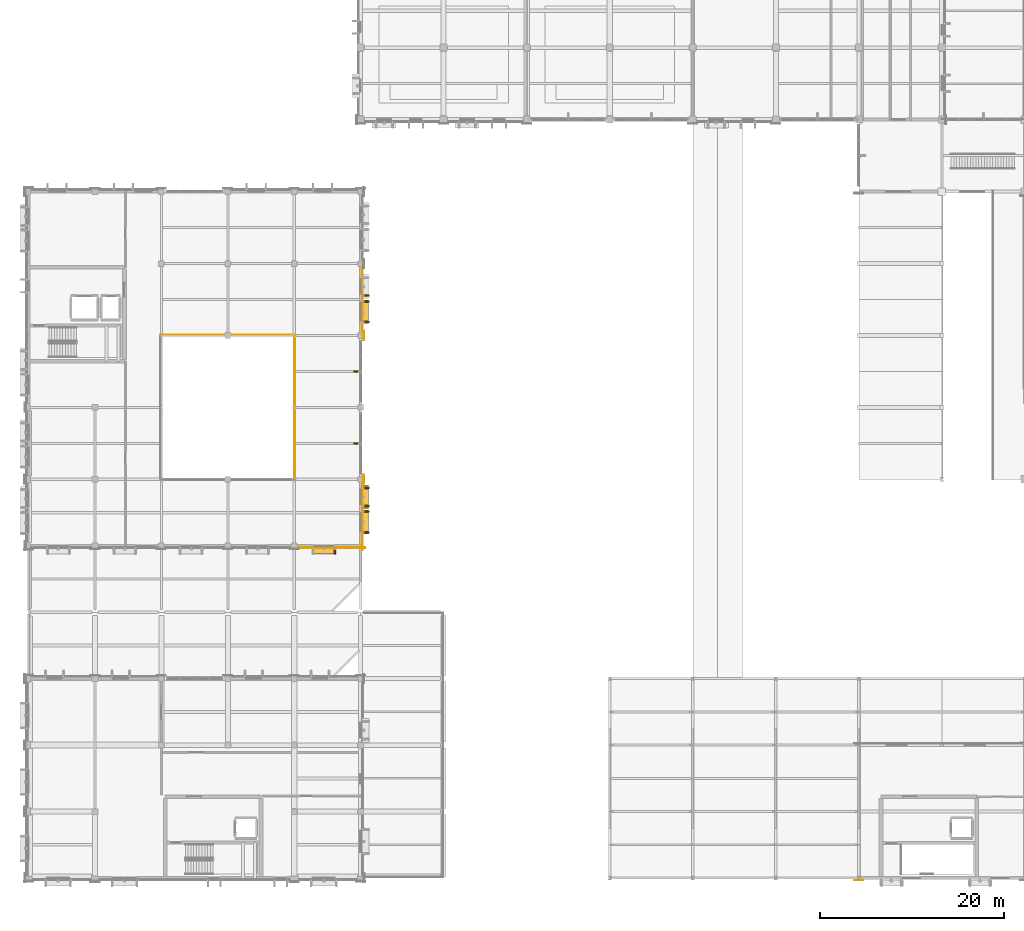
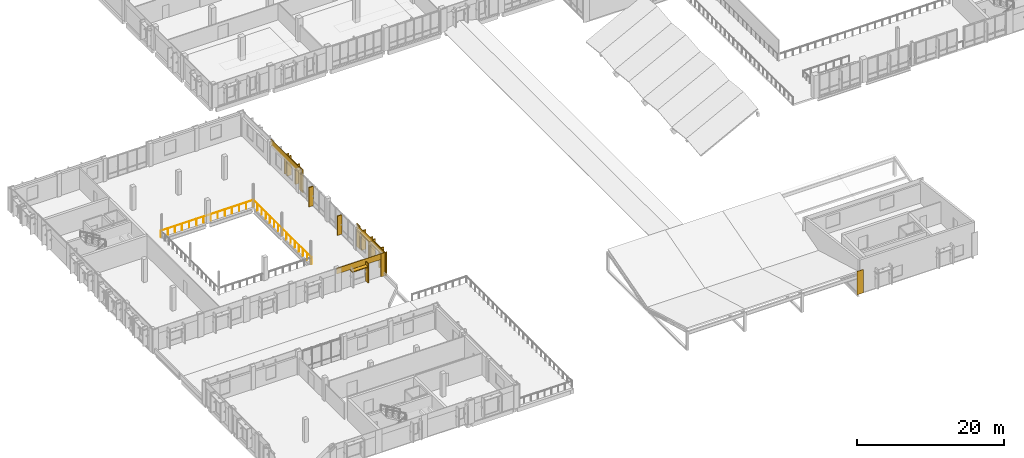
# One storey, part 56 of 64: 14 shading devices, 8 coverings, 2 railings.
"""IFC4 building model written with IfcOpenShell, lengths in metres."""

from ifc_helpers import new_model, si_unit, direction, frame, origin, origin_2d, place, context, subcontext, project, spatial, rectangle, circle, extrude, material, layer, layer_set, type_object, element, save


model = new_model("IFC4")

# Units and contexts
model_context = context("Model", 3, precision=1e-05, world=origin(), true_north=direction((0.0, 1.0)))
body_context = subcontext(model_context, "Body", "Model", "MODEL_VIEW")
ifc_project = project(units=[si_unit("LENGTHUNIT", "METRE"), si_unit("AREAUNIT", "SQUARE_METRE"), si_unit("VOLUMEUNIT", "CUBIC_METRE"), si_unit("PLANEANGLEUNIT", "RADIAN"), si_unit("MASSUNIT", "GRAM", prefix="KILO")], contexts=[model_context])

# Site, building, storey
site_placement = place(None, origin())
site = spatial("IfcSite", under=ifc_project, at=site_placement, CompositionType="ELEMENT")
building_placement = place(site_placement, origin())
building = spatial("IfcBuilding", under=site, at=building_placement, Name="Vervanel Yard Central Library", CompositionType="ELEMENT")
storey_placement = place(building_placement, frame((0.0, 0.0, 8.93994140625)))
storey = spatial("IfcBuildingStorey", under=building, at=storey_placement, Name="L02", CompositionType="ELEMENT", Elevation=8.93994140625)

# Coverings
ifc_material_1 = material(Name="Precast concrete C45/55", Category="concrete")
ifc_layer = layer(ifc_material_1, 0.0849609375, Category="concrete")
ifc_layer_set = layer_set([ifc_layer], Name="Precast concrete C45/55")
covering_type = type_object("IfcCoveringType", Name="Bush-Hammered Precast Architectural Cladding Panel", PredefinedType="CLADDING", material=ifc_layer_set)
covering_1_placement = place(storey_placement, frame((36.18994140625, 39.60009765625, 2.91015625), z_axis=(0.0, 0.0, 1.0), x_axis=(0.0, 1.0, 0.0)))
element("IfcCovering", 1, at=covering_1_placement, inside=storey, type_object=covering_type, Name="L02 Precast Concrete Spandrel Cornice EWALL-L02-0117", PredefinedType="CLADDING", context=body_context, shape_type="SweptSolid", body=[
    extrude(rectangle(XDim=7.64990234375, YDim=0.0849609375, at=origin_2d()), origin(), (0.0, 0.0, 1.0), 0.949951171875),
])
for number, where, z_axis, x_axis, name in (
    (2, (36.1923828125, 36.0, 0.0), (0.0, 0.0, 1.0), (0.0, 1.0, 0.0), "L02 Precast Concrete Pier Pilaster EWALL-L02-0117-A"),
    (3, (36.342529296875, 43.199951171875, 0.0), (0.0, 0.0, 1.0), (0.0, 1.0, 0.0), "L02 Precast Concrete Pier Pilaster EWALL-L02-0117-B"),
):
    element("IfcCovering", number, at=place(storey_placement, frame(where, z_axis=z_axis, x_axis=x_axis)), inside=storey, type_object=covering_type, Name=name, PredefinedType="CLADDING", context=body_context, shape_type="SweptSolid", body=[
        extrude(rectangle(XDim=0.97998046875, YDim=0.0849609375, at=origin_2d()), origin(), (0.0, 0.0, 1.0), 3.860107421875),
    ])
covering_2_placement = place(storey_placement, frame((36.18994140625, 62.699951171875, 2.91015625), z_axis=(0.0, 0.0, 1.0), x_axis=(0.0, 1.0, 0.0)))
element("IfcCovering", 4, at=covering_2_placement, inside=storey, type_object=covering_type, Name="L02 Precast Concrete Spandrel Cornice EWALL-L02-0118", PredefinedType="CLADDING", context=body_context, shape_type="SweptSolid", body=[
    extrude(rectangle(XDim=8.25, YDim=0.0849609375, at=origin_2d()), origin(), (0.0, 0.0, 1.0), 0.949951171875),
])
covering_3_placement = place(storey_placement, frame((36.342529296875, 58.800048828125, 0.0), z_axis=(0.0, 0.0, 1.0), x_axis=(0.0, 1.0, 0.0)))
element("IfcCovering", 5, at=covering_3_placement, inside=storey, type_object=covering_type, Name="L02 Precast Concrete Pier Pilaster EWALL-L02-0118-A", PredefinedType="CLADDING", context=body_context, shape_type="SweptSolid", body=[
    extrude(rectangle(XDim=0.97998046875, YDim=0.0849609375, at=origin_2d()), origin(), (0.0, 0.0, 1.0), 3.860107421875),
])
covering_4_placement = place(storey_placement, frame((32.39990234375, 35.7900390625, 2.91015625), z_axis=(0.0, 0.0, 1.0), x_axis=(1.0, 0.0, 0.0)))
element("IfcCovering", 6, at=covering_4_placement, inside=storey, type_object=covering_type, Name="L02 Precast Concrete Spandrel Cornice EWALL-L02-0128", PredefinedType="CLADDING", context=body_context, shape_type="SweptSolid", body=[
    extrude(rectangle(XDim=7.64990234375, YDim=0.0849609375, at=origin_2d()), origin(), (0.0, 0.0, 1.0), 0.949951171875),
])
for number, where, z_axis, x_axis, name in (
    (7, (36.0, 35.78759765625, 0.0), (0.0, 0.0, 1.0), (1.0, 0.0, 0.0), "L02 Precast Concrete Pier Pilaster EWALL-L02-0128-B"),
    (8, (90.0, -0.226806640625, 0.0), (0.0, 0.0, 1.0), (1.0, 0.0, 0.0), "L02 Precast Concrete Pier Pilaster EWALL-L02-0209-A"),
):
    element("IfcCovering", number, at=place(storey_placement, frame(where, z_axis=z_axis, x_axis=x_axis)), inside=storey, type_object=covering_type, Name=name, PredefinedType="CLADDING", context=body_context, shape_type="SweptSolid", body=[
        extrude(rectangle(XDim=0.97998046875, YDim=0.0849609375, at=origin_2d()), origin(), (0.0, 0.0, 1.0), 3.860107421875),
    ])

# Railings
ifc_material_2 = material(Name="Brushed stainless steel AISI 316", Category="steel")
railing_type = type_object("IfcRailingType", Name="Glazed Atrium & Gallery Balustrade 1120", PredefinedType="BALUSTRADE", material=ifc_material_2)
railing_1_placement = place(storey_placement, frame((28.8798828125, 43.1201171875, 0.0)))
element("IfcRailing", 9, at=railing_1_placement, inside=storey, type_object=railing_type, Name="L02 Void Guard ATRIUM-GD-L02 E", PredefinedType="BALUSTRADE", context=body_context, shape_type="SweptSolid", body=[
    extrude(circle(Radius=0.02392578125, at=origin_2d()), frame((0.0, 0.0, 1.09619140625), z_axis=(0.0, 1.0, 0.0), x_axis=(-1.0, 0.0, 0.0)), (0.0, 0.0, 1.0), 15.759765625),
    extrude(circle(Radius=0.02099609375, at=origin_2d()), origin(), (0.0, 0.0, 1.0), 1.072021484375),
    extrude(circle(Radius=0.02099609375, at=origin_2d()), frame((0.0, 1.125732421875, 0.0)), (0.0, 0.0, 1.0), 1.072021484375),
    extrude(circle(Radius=0.02099609375, at=origin_2d()), frame((0.0, 2.25146484375, 0.0)), (0.0, 0.0, 1.0), 1.072021484375),
    extrude(circle(Radius=0.02099609375, at=origin_2d()), frame((0.0, 3.377197265625, 0.0)), (0.0, 0.0, 1.0), 1.072021484375),
    extrude(circle(Radius=0.02099609375, at=origin_2d()), frame((0.0, 4.502685546875, 0.0)), (0.0, 0.0, 1.0), 1.072021484375),
    extrude(circle(Radius=0.02099609375, at=origin_2d()), frame((0.0, 5.62841796875, 0.0)), (0.0, 0.0, 1.0), 1.072021484375),
    extrude(circle(Radius=0.02099609375, at=origin_2d()), frame((0.0, 6.754150390625, 0.0)), (0.0, 0.0, 1.0), 1.072021484375),
    extrude(circle(Radius=0.02099609375, at=origin_2d()), frame((0.0, 7.8798828125, 0.0)), (0.0, 0.0, 1.0), 1.072021484375),
    extrude(circle(Radius=0.02099609375, at=origin_2d()), frame((0.0, 9.005615234375, 0.0)), (0.0, 0.0, 1.0), 1.072021484375),
    extrude(circle(Radius=0.02099609375, at=origin_2d()), frame((0.0, 10.13134765625, 0.0)), (0.0, 0.0, 1.0), 1.072021484375),
    extrude(circle(Radius=0.02099609375, at=origin_2d()), frame((0.0, 11.257080078125, 0.0)), (0.0, 0.0, 1.0), 1.072021484375),
    extrude(circle(Radius=0.02099609375, at=origin_2d()), frame((0.0, 12.382568359375, 0.0)), (0.0, 0.0, 1.0), 1.072021484375),
    extrude(circle(Radius=0.02099609375, at=origin_2d()), frame((0.0, 13.50830078125, 0.0)), (0.0, 0.0, 1.0), 1.072021484375),
    extrude(circle(Radius=0.02099609375, at=origin_2d()), frame((0.0, 14.634033203125, 0.0)), (0.0, 0.0, 1.0), 1.072021484375),
    extrude(circle(Radius=0.02099609375, at=origin_2d()), frame((0.0, 15.759765625, 0.0)), (0.0, 0.0, 1.0), 1.072021484375),
])
railing_2_placement = place(storey_placement, frame((28.8798828125, 58.8798828125, 0.0)))
element("IfcRailing", 10, at=railing_2_placement, inside=storey, type_object=railing_type, Name="L02 Void Guard ATRIUM-GD-L02 N", PredefinedType="BALUSTRADE", context=body_context, shape_type="SweptSolid", body=[
    extrude(circle(Radius=0.02392578125, at=origin_2d()), frame((0.0, 0.0, 1.09619140625), z_axis=(-1.0, 0.0, 0.0), x_axis=(0.0, -1.0, 0.0)), (0.0, 0.0, 1.0), 14.559814453125),
    extrude(circle(Radius=0.02099609375, at=origin_2d()), origin(), (0.0, 0.0, 1.0), 1.072021484375),
    extrude(circle(Radius=0.02099609375, at=origin_2d()), frame((-1.119873046875, 0.0, 0.0)), (0.0, 0.0, 1.0), 1.072021484375),
    extrude(circle(Radius=0.02099609375, at=origin_2d()), frame((-2.239990234375, 0.0, 0.0)), (0.0, 0.0, 1.0), 1.072021484375),
    extrude(circle(Radius=0.02099609375, at=origin_2d()), frame((-3.35986328125, 0.0, 0.0)), (0.0, 0.0, 1.0), 1.072021484375),
    extrude(circle(Radius=0.02099609375, at=origin_2d()), frame((-4.47998046875, 0.0, 0.0)), (0.0, 0.0, 1.0), 1.072021484375),
    extrude(circle(Radius=0.02099609375, at=origin_2d()), frame((-5.599853515625, 0.0, 0.0)), (0.0, 0.0, 1.0), 1.072021484375),
    extrude(circle(Radius=0.02099609375, at=origin_2d()), frame((-6.719970703125, 0.0, 0.0)), (0.0, 0.0, 1.0), 1.072021484375),
    extrude(circle(Radius=0.02099609375, at=origin_2d()), frame((-7.83984375, 0.0, 0.0)), (0.0, 0.0, 1.0), 1.072021484375),
    extrude(circle(Radius=0.02099609375, at=origin_2d()), frame((-8.9599609375, 0.0, 0.0)), (0.0, 0.0, 1.0), 1.072021484375),
    extrude(circle(Radius=0.02099609375, at=origin_2d()), frame((-10.079833984375, 0.0, 0.0)), (0.0, 0.0, 1.0), 1.072021484375),
    extrude(circle(Radius=0.02099609375, at=origin_2d()), frame((-11.199951171875, 0.0, 0.0)), (0.0, 0.0, 1.0), 1.072021484375),
    extrude(circle(Radius=0.02099609375, at=origin_2d()), frame((-12.31982421875, 0.0, 0.0)), (0.0, 0.0, 1.0), 1.072021484375),
    extrude(circle(Radius=0.02099609375, at=origin_2d()), frame((-13.43994140625, 0.0, 0.0)), (0.0, 0.0, 1.0), 1.072021484375),
    extrude(circle(Radius=0.02099609375, at=origin_2d()), frame((-14.559814453125, 0.0, 0.0)), (0.0, 0.0, 1.0), 1.072021484375),
])

# Shading devices
shading_device_type_1 = type_object("IfcShadingDeviceType", Name="Horizontal Precast Brise-Soleil Sunhood 2600x680x140", PredefinedType="JALOUSIE", material=ifc_material_1)
for number, where, z_axis, x_axis, name in (
    (11, (36.52001953125, 38.574951171875, 2.97998046875), (0.0, 0.0, 1.0), (0.0, 1.0, 0.0), "L02 Precast Horizontal Sunhood 62"),
    (12, (36.52001953125, 41.300048828125, 2.93017578125), (0.0, 0.0, 1.0), (0.0, 1.0, 0.0), "L02 Precast Horizontal Sunhood 63"),
    (13, (36.52001953125, 61.375, 2.97998046875), (0.0, 0.0, 1.0), (0.0, 1.0, 0.0), "L02 Precast Horizontal Sunhood 64"),
    (14, (32.02490234375, 35.4599609375, 2.7802734375), (0.0, 0.0, 1.0), (1.0, 0.0, 0.0), "L02 Precast Horizontal Sunhood 72"),
):
    element("IfcShadingDevice", number, at=place(storey_placement, frame(where, z_axis=z_axis, x_axis=x_axis)), inside=storey, type_object=shading_device_type_1, Name=name, PredefinedType="JALOUSIE", context=body_context, shape_type="SweptSolid", body=[
        extrude(rectangle(XDim=2.60009765625, YDim=0.679931640625, at=origin_2d()), origin(), (0.0, 0.0, 1.0), 0.139892578125),
    ])
shading_device_type_2 = type_object("IfcShadingDeviceType", Name="Vertical Precast Solar Fin 160x720x3200", PredefinedType="JALOUSIE", material=ifc_material_1)
for number, where, z_axis, x_axis, name in (
    (15, (36.550048828125, 37.43994140625, 0.30029296875), (0.0, 0.0, 1.0), (0.0, 1.0, 0.0), "L02 Precast Solar Fin 325"),
    (16, (36.550048828125, 39.7099609375, 0.30029296875), (0.0, 0.0, 1.0), (0.0, 1.0, 0.0), "L02 Precast Solar Fin 326"),
    (17, (36.550048828125, 40.340087890625, 0.27490234375), (0.0, 0.0, 1.0), (0.0, 1.0, 0.0), "L02 Precast Solar Fin 327"),
    (18, (36.550048828125, 42.260009765625, 0.27490234375), (0.0, 0.0, 1.0), (0.0, 1.0, 0.0), "L02 Precast Solar Fin 328"),
    (19, (35.590087890625, 47.10009765625, 0.1552734375), (0.0, 0.0, 1.0), (0.0, 1.0, 0.0), "L02 Precast Solar Fin 329"),
    (20, (35.590087890625, 54.89990234375, 0.1552734375), (0.0, 0.0, 1.0), (0.0, 1.0, 0.0), "L02 Precast Solar Fin 330"),
    (21, (36.550048828125, 60.239990234375, 0.30029296875), (0.0, 0.0, 1.0), (0.0, 1.0, 0.0), "L02 Precast Solar Fin 331"),
    (22, (36.550048828125, 62.510009765625, 0.30029296875), (0.0, 0.0, 1.0), (0.0, 1.0, 0.0), "L02 Precast Solar Fin 332"),
    (23, (36.550048828125, 63.139892578125, 0.27490234375), (0.0, 0.0, 1.0), (0.0, 1.0, 0.0), "L02 Precast Solar Fin 333"),
    (24, (33.2099609375, 35.429931640625, 0.22509765625), (0.0, 0.0, 1.0), (1.0, 0.0, 0.0), "L02 Precast Solar Fin 356"),
):
    element("IfcShadingDevice", number, at=place(storey_placement, frame(where, z_axis=z_axis, x_axis=x_axis)), inside=storey, type_object=shading_device_type_2, Name=name, PredefinedType="JALOUSIE", context=body_context, shape_type="SweptSolid", body=[
        extrude(rectangle(XDim=0.159912109375, YDim=0.719970703125, at=origin_2d()), origin(), (0.0, 0.0, 1.0), 3.199951171875),
    ])

save(model, "model.ifc")
